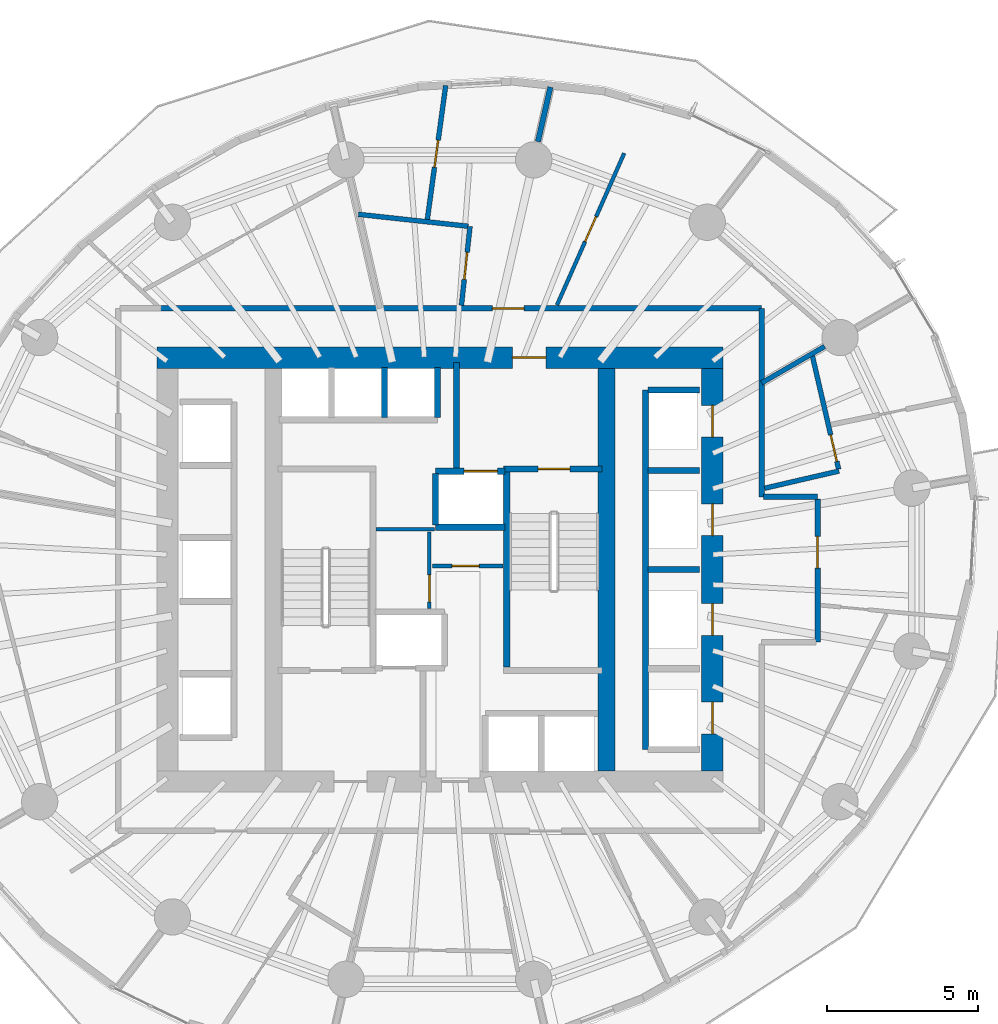
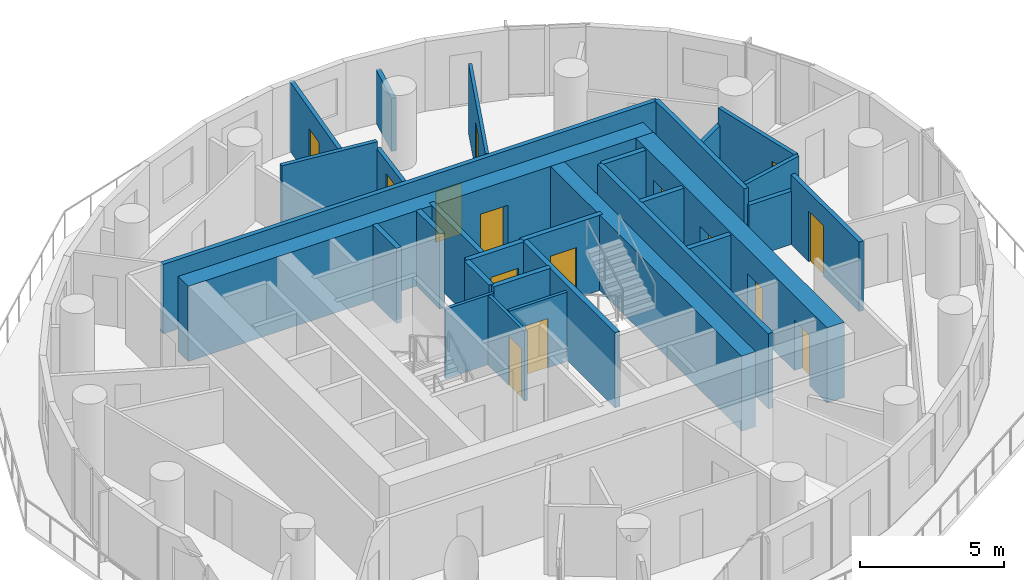
# One storey, part 9 of 15: 30 walls, 15 doors, 15 openings.
"""IFC4 building model written with IfcOpenShell, lengths in metres."""

from ifc_helpers import new_model, si_unit, direction, frame, frame_2d, origin, place, context, subcontext, project, spatial, rectangle, extrude, material, layer, layer_set, type_object, element, fill, save


model = new_model("IFC4")

# Units and contexts
model_context = context("Model", 3, precision=1e-05, world=origin(), true_north=direction((0.0, 1.0)))
body_context = subcontext(model_context, "Body", "Model", "MODEL_VIEW")
ifc_project = project(units=[si_unit("LENGTHUNIT", "METRE"), si_unit("AREAUNIT", "SQUARE_METRE"), si_unit("VOLUMEUNIT", "CUBIC_METRE"), si_unit("PLANEANGLEUNIT", "RADIAN"), si_unit("MASSUNIT", "GRAM", prefix="KILO")], contexts=[model_context])

# Site, building, storey
site_placement = place(None, origin())
site = spatial("IfcSite", under=ifc_project, at=site_placement, CompositionType="ELEMENT")
building_placement = place(site_placement, origin())
building = spatial("IfcBuilding", under=site, at=building_placement, Name="Veldorim Arch Residences", CompositionType="ELEMENT")
storey_placement = place(building_placement, frame((0.0, 0.0, 106.080078125)))
storey = spatial("IfcBuildingStorey", under=building, at=storey_placement, Name="L31", CompositionType="ELEMENT", Elevation=106.080078125)

# Wall, opening, door
ifc_material_1 = material(Name="Acoustic Gypsum Board", Category="gypsum")
ifc_layer_1 = layer(ifc_material_1, 0.125, Name="Acoustic Stud Room Partition Wall 125")
ifc_layer_set_1 = layer_set([ifc_layer_1], Name="Acoustic Gypsum Board")
wall_type_1 = type_object("IfcWallType", Name="Acoustic Stud Room Partition Wall 125", PredefinedType="PARTITIONING", material=ifc_layer_set_1)
wall_1_placement = place(storey_placement, frame((31.64990234375, 22.719970703125, 0.0), z_axis=(0.0, 0.0, 1.0), x_axis=(0.0, 1.0, 0.0)))
wall_1 = element("IfcWall", 1, at=wall_1_placement, inside=storey, type_object=wall_type_1, Name="L31 interior wall WL-CA-L31-1", PredefinedType="PARTITIONING", context=body_context, shape_type="SweptSolid", body=[
    extrude(rectangle(XDim=2.52001953125, YDim=0.125, at=frame_2d((1.260009765625, 0.0))), origin(), (0.0, 0.0, 1.0), 2.954833984375),
])
opening_1_placement = place(wall_1_placement, frame((0.2099609375, 0.0, 0.0)))
opening_1 = element("IfcOpeningElement", 2, at=opening_1_placement, cuts=wall_1, Name="Opening DR-SVC", PredefinedType="OPENING", context=body_context, shape_type="SweptSolid", body=[
    extrude(rectangle(XDim=0.89990234375, YDim=2.10009765625, at=frame_2d((0.449951171875, 1.050048828125))), frame((0.0, 0.072509765625, 0.0), z_axis=(0.0, -1.0, 0.0), x_axis=(1.0, 0.0, 0.0)), (0.0, 0.0, 1.0), 0.14501953125),
])
ifc_material_2 = material(Name="Fire-Rated Steel", Category="steel")
door_type_1 = type_object("IfcDoorType", Name="Riser, Shelter & Plant Room Rated Steel Door 900x2100", OperationType="SINGLE_SWING_LEFT", PredefinedType="DOOR", material=ifc_material_2)
door_1_placement = place(opening_1_placement, origin())
door_1 = element("IfcDoor", 3, at=door_1_placement, inside=storey, type_object=door_type_1, Name="L31 interior door DR-L31-CA1", OperationType="SINGLE_SWING_LEFT", OverallHeight=2.10009765625, OverallWidth=0.89990234375, PredefinedType="DOOR", context=body_context, shape_type="SweptSolid", body=[
    extrude(rectangle(XDim=0.89990234375, YDim=2.10009765625, at=frame_2d((0.449951171875, 1.050048828125))), frame((0.0, 0.02490234375, 0.0), z_axis=(0.0, -1.0, 0.0), x_axis=(1.0, 0.0, 0.0)), (0.0, 0.0, 1.0), 0.050048828125),
])
fill(opening_1, door_1)

wall_2_placement = place(storey_placement, frame((31.760009765625, 24.1201171875, 0.0), z_axis=(0.0, 0.0, 1.0), x_axis=(1.0, 0.0, 0.0)))
wall_2 = element("IfcWall", 4, at=wall_2_placement, inside=storey, type_object=wall_type_1, Name="L31 interior wall WL-CA-L31-2", PredefinedType="PARTITIONING", context=body_context, shape_type="SweptSolid", body=[
    extrude(rectangle(XDim=2.320068359375, YDim=0.125, at=frame_2d((1.16015625, 0.0))), origin(), (0.0, 0.0, 1.0), 2.954833984375),
])
opening_2_placement = place(wall_2_placement, frame((0.639892578125, 0.0, 0.0)))
opening_2 = element("IfcOpeningElement", 5, at=opening_2_placement, cuts=wall_2, Name="Opening DR-SVC", PredefinedType="OPENING", context=body_context, shape_type="SweptSolid", body=[
    extrude(rectangle(XDim=0.89990234375, YDim=2.10009765625, at=frame_2d((0.449951171875, 1.050048828125))), frame((0.0, 0.072509765625, 0.0), z_axis=(0.0, -1.0, 0.0), x_axis=(1.0, 0.0, 0.0)), (0.0, 0.0, 1.0), 0.14501953125),
])
door_2_placement = place(opening_2_placement, origin())
door_2 = element("IfcDoor", 6, at=door_2_placement, inside=storey, type_object=door_type_1, Name="L31 interior door DR-L31-CA2", OperationType="SINGLE_SWING_RIGHT", OverallHeight=2.10009765625, OverallWidth=0.89990234375, PredefinedType="DOOR", context=body_context, shape_type="SweptSolid", body=[
    extrude(rectangle(XDim=0.89990234375, YDim=2.10009765625, at=frame_2d((0.449951171875, 1.050048828125))), frame((0.0, 0.02490234375, 0.0), z_axis=(0.0, -1.0, 0.0), x_axis=(1.0, 0.0, 0.0)), (0.0, 0.0, 1.0), 0.050048828125),
])
fill(opening_2, door_2)

# Wall
wall_3_placement = place(storey_placement, frame((29.889892578125, 25.330078125, 0.0), z_axis=(0.0, 0.0, 1.0), x_axis=(1.0, 0.0, 0.0)))
element("IfcWall", 7, at=wall_3_placement, inside=storey, type_object=wall_type_1, Name="L31 interior wall WL-CA-L31-N", PredefinedType="PARTITIONING", context=body_context, shape_type="SweptSolid", body=[
    extrude(rectangle(XDim=1.940185546875, YDim=0.125, at=frame_2d((0.97021484375, 0.0))), origin(), (0.0, 0.0, 1.0), 2.954833984375),
])

# Wall, opening, door
wall_4_placement = place(storey_placement, frame((38.091064453125, 37.756103515625, 0.0), z_axis=(0.0, 0.0, 1.0), x_axis=(-0.404874602407, -0.914372219791, 0.0)))
wall_4 = element("IfcWall", 8, at=wall_4_placement, inside=storey, type_object=wall_type_1, Name="L31 interior wall WL-RES-L31-023", PredefinedType="PARTITIONING", context=body_context, shape_type="SweptSolid", body=[
    extrude(rectangle(XDim=5.486083984375, YDim=0.125, at=frame_2d((2.7431640625, 0.0))), origin(), (0.0, 0.0, 1.0), 2.954833984375),
])
opening_3_placement = place(wall_4_placement, frame((2.29296875, 0.0, 0.0)))
opening_3 = element("IfcOpeningElement", 9, at=opening_3_placement, cuts=wall_4, Name="Opening DR-INT", PredefinedType="OPENING", context=body_context, shape_type="SweptSolid", body=[
    extrude(rectangle(XDim=0.89990234375, YDim=2.10009765625, at=frame_2d((0.449951171875, 1.050048828125))), frame((0.0, 0.072509765625, 0.0), z_axis=(0.0, -1.0, 0.0), x_axis=(1.0, 0.0, 0.0)), (0.0, 0.0, 1.0), 0.14501953125),
])
ifc_material_3 = material(Name="Engineered Timber", Category="wood")
door_type_2 = type_object("IfcDoorType", Name="Apartment Internal Room Timber Door 900x2100", OperationType="SINGLE_SWING_LEFT", PredefinedType="DOOR", material=ifc_material_3)
door_3_placement = place(opening_3_placement, origin())
door_3 = element("IfcDoor", 10, at=door_3_placement, inside=storey, type_object=door_type_2, Name="L31 interior door DR-RES-L31-012", OperationType="SINGLE_SWING_RIGHT", OverallHeight=2.10009765625, OverallWidth=0.89990234375, PredefinedType="DOOR", context=body_context, shape_type="SweptSolid", body=[
    extrude(rectangle(XDim=0.89990234375, YDim=2.10009765625, at=frame_2d((0.449951171875, 1.050048828125))), frame((0.0, 0.02490234375, 0.0), z_axis=(0.0, -1.0, 0.0), x_axis=(1.0, 0.0, 0.0)), (0.0, 0.0, 1.0), 0.050048828125),
])
fill(opening_3, door_3)

# Walls
ifc_material_4 = material(Name="Lightweight Masonry Block & Gypsum", Category="masonry")
ifc_layer_2 = layer(ifc_material_4, 0.179931640625, Name="Compartment & Corridor Fire-Rated Party Wall 180")
ifc_layer_set_2 = layer_set([ifc_layer_2], Name="Lightweight Masonry Block & Gypsum")
wall_type_2 = type_object("IfcWallType", Name="Compartment & Corridor Fire-Rated Party Wall 180", PredefinedType="PARTITIONING", material=ifc_layer_set_2)
wall_5_placement = place(storey_placement, frame((35.240478515625, 38.13916015625, 0.0), z_axis=(0.0, 0.0, 1.0), x_axis=(0.2234127464, 0.974723932581, 0.0)))
element("IfcWall", 11, at=wall_5_placement, inside=storey, type_object=wall_type_2, Name="L31 interior wall WL-PIER-L31-04", PredefinedType="PARTITIONING", context=body_context, shape_type="SweptSolid", body=[
    extrude(rectangle(XDim=1.848876953125, YDim=0.179931640625, at=frame_2d((0.92431640625, 0.0))), origin(), (0.0, 0.0, 1.0), 2.260498046875),
])
wall_6_placement = place(storey_placement, frame((42.6298828125, 32.6298828125, 0.0), z_axis=(0.0, 0.0, 1.0), x_axis=(0.0, -1.0, 0.0)))
element("IfcWall", 12, at=wall_6_placement, inside=storey, type_object=wall_type_2, Name="L31 interior wall WL-RES-L31-002", PredefinedType="PARTITIONING", context=body_context, shape_type="SweptSolid", body=[
    extrude(rectangle(XDim=6.22998046875, YDim=0.179931640625, at=frame_2d((3.114990234375, 0.0))), origin(), (0.0, 0.0, 1.0), 2.954833984375),
])
wall_7_placement = place(storey_placement, frame((42.68994140625, 26.39990234375, 0.0), z_axis=(0.0, 0.0, 1.0), x_axis=(1.0, 0.0, 0.0)))
element("IfcWall", 13, at=wall_7_placement, inside=storey, type_object=wall_type_2, Name="L31 interior wall WL-RES-L31-003", PredefinedType="PARTITIONING", context=body_context, shape_type="SweptSolid", body=[
    extrude(rectangle(XDim=1.7900390625, YDim=0.179931640625, at=frame_2d((0.89501953125, 0.0))), origin(), (0.0, 0.0, 1.0), 2.260498046875),
])

# Wall, opening, door
wall_8_placement = place(storey_placement, frame((44.47998046875, 26.340087890625, 0.0), z_axis=(0.0, 0.0, 1.0), x_axis=(0.0, -1.0, 0.0)))
wall_8 = element("IfcWall", 14, at=wall_8_placement, inside=storey, type_object=wall_type_2, Name="L31 interior wall WL-RES-L31-004", PredefinedType="PARTITIONING", context=body_context, shape_type="SweptSolid", body=[
    extrude(rectangle(XDim=4.739990234375, YDim=0.179931640625, at=frame_2d((2.3701171875, 0.0))), origin(), (0.0, 0.0, 1.0), 2.954833984375),
])
opening_4_placement = place(wall_8_placement, frame((1.238525390625, 0.0, 0.0)))
opening_4 = element("IfcOpeningElement", 15, at=opening_4_placement, cuts=wall_8, Name="Opening DR-FLT", PredefinedType="OPENING", context=body_context, shape_type="SweptSolid", body=[
    extrude(rectangle(XDim=1.050048828125, YDim=2.14990234375, at=frame_2d((0.52490234375, 1.074951171875))), frame((0.0, 0.099853515625, 0.0), z_axis=(0.0, -1.0, 0.0), x_axis=(1.0, 0.0, 0.0)), (0.0, 0.0, 1.0), 0.199951171875),
])
ifc_material_5 = material(Name="Fire-Rated Timber", Category="wood")
door_type_3 = type_object("IfcDoorType", Name="Apartment Entrance Solid-Core Fire Door 1050x2150", OperationType="SINGLE_SWING_LEFT", PredefinedType="DOOR", material=ifc_material_5)
door_4_placement = place(opening_4_placement, origin())
door_4 = element("IfcDoor", 16, at=door_4_placement, inside=storey, type_object=door_type_3, Name="L31 interior door DR-RES-L31-005", OperationType="SINGLE_SWING_LEFT", OverallHeight=2.14990234375, OverallWidth=1.050048828125, PredefinedType="DOOR", context=body_context, shape_type="SweptSolid", body=[
    extrude(rectangle(XDim=1.050048828125, YDim=2.14990234375, at=frame_2d((0.52490234375, 1.074951171875))), frame((0.0, 0.02490234375, 0.0), z_axis=(0.0, -1.0, 0.0), x_axis=(1.0, 0.0, 0.0)), (0.0, 0.0, 1.0), 0.050048828125),
])
fill(opening_4, door_4)

wall_9_placement = place(storey_placement, frame((22.73388671875, 32.6298828125, 0.0), z_axis=(0.0, 0.0, 1.0), x_axis=(1.0, 0.0, 0.0)))
wall_9 = element("IfcWall", 17, at=wall_9_placement, inside=storey, type_object=wall_type_2, Name="L31 interior wall WL-RES-L31-007", PredefinedType="PARTITIONING", context=body_context, shape_type="SweptSolid", body=[
    extrude(rectangle(XDim=19.89599609375, YDim=0.179931640625, at=frame_2d((9.947998046875, 0.0))), origin(), (0.0, 0.0, 1.0), 2.954833984375),
])
opening_5_placement = place(wall_9_placement, frame((11.004150390625, 0.0, 0.0)))
opening_5 = element("IfcOpeningElement", 18, at=opening_5_placement, cuts=wall_9, Name="Opening DR-FLT", PredefinedType="OPENING", context=body_context, shape_type="SweptSolid", body=[
    extrude(rectangle(XDim=1.050048828125, YDim=2.14990234375, at=frame_2d((0.52490234375, 1.074951171875))), frame((0.0, 0.099853515625, 0.0), z_axis=(0.0, -1.0, 0.0), x_axis=(1.0, 0.0, 0.0)), (0.0, 0.0, 1.0), 0.199951171875),
])
door_5_placement = place(opening_5_placement, origin())
door_5 = element("IfcDoor", 19, at=door_5_placement, inside=storey, type_object=door_type_3, Name="L31 interior door DR-RES-L31-010", OperationType="SINGLE_SWING_RIGHT", OverallHeight=2.14990234375, OverallWidth=1.050048828125, PredefinedType="DOOR", context=body_context, shape_type="SweptSolid", body=[
    extrude(rectangle(XDim=1.050048828125, YDim=2.14990234375, at=frame_2d((0.52490234375, 1.074951171875))), frame((0.0, 0.02490234375, 0.0), z_axis=(0.0, -1.0, 0.0), x_axis=(1.0, 0.0, 0.0)), (0.0, 0.0, 1.0), 0.050048828125),
])
fill(opening_5, door_5)

# Wall
ifc_material_6 = material(Name="Concrete C50/60", Category="concrete")
ifc_layer_3 = layer(ifc_material_6, 0.199951171875, Name="Core Stair & Lift Shaft Enclosure Wall 200")
ifc_layer_set_3 = layer_set([ifc_layer_3], Name="Concrete C50/60")
wall_type_3 = type_object("IfcWallType", Name="Core Stair & Lift Shaft Enclosure Wall 200", PredefinedType="SHEAR", material=ifc_layer_set_3)
wall_10_placement = place(storey_placement, frame((34.2099609375, 20.780029296875, 0.0), z_axis=(0.0, 0.0, 1.0), x_axis=(0.0, 1.0, 0.0)))
element("IfcWall", 20, at=wall_10_placement, inside=storey, type_object=wall_type_3, Name="L31 shaft wall WL-SHF-L31-ST2-W", PredefinedType="SHEAR", context=body_context, shape_type="SweptSolid", body=[
    extrude(rectangle(XDim=6.43994140625, YDim=0.199951171875, at=frame_2d((3.219970703125, 0.0))), origin(), (0.0, 0.0, 1.0), 3.199951171875),
])

# Wall, opening, door
wall_11_placement = place(storey_placement, frame((34.110107421875, 27.330078125, 0.0), z_axis=(0.0, 0.0, 1.0), x_axis=(1.0, 0.0, 0.0)))
wall_11 = element("IfcWall", 21, at=wall_11_placement, inside=storey, type_object=wall_type_3, Name="L31 shaft wall WL-SHF-L31-ST2-N", PredefinedType="SHEAR", context=body_context, shape_type="SweptSolid", body=[
    extrude(rectangle(XDim=3.239990234375, YDim=0.199951171875, at=frame_2d((1.6201171875, 0.0))), origin(), (0.0, 0.0, 1.0), 3.199951171875),
])
opening_6_placement = place(wall_11_placement, frame((1.135009765625, 0.0, 0.0)))
opening_6 = element("IfcOpeningElement", 22, at=opening_6_placement, cuts=wall_11, Name="Opening DR-ST", PredefinedType="OPENING", context=body_context, shape_type="SweptSolid", body=[
    extrude(rectangle(XDim=1.050048828125, YDim=2.14990234375, at=frame_2d((0.52490234375, 1.074951171875))), frame((0.0, 0.10986328125, 0.0), z_axis=(0.0, -1.0, 0.0), x_axis=(1.0, 0.0, 0.0)), (0.0, 0.0, 1.0), 0.219970703125),
])
ifc_material_7 = material(Name="Fire-Rated Steel", Category="steel")
door_type_4 = type_object("IfcDoorType", Name="Exit Staircase Self-Closing Fire Door 1050x2150", OperationType="SINGLE_SWING_LEFT", PredefinedType="DOOR", material=ifc_material_7)
door_6_placement = place(opening_6_placement, origin())
door_6 = element("IfcDoor", 23, at=door_6_placement, inside=storey, type_object=door_type_4, Name="L31 interior door DR-L31-ST2", OperationType="SINGLE_SWING_RIGHT", OverallHeight=2.14990234375, OverallWidth=1.050048828125, PredefinedType="DOOR", context=body_context, shape_type="SweptSolid", body=[
    extrude(rectangle(XDim=1.050048828125, YDim=2.14990234375, at=frame_2d((0.52490234375, 1.074951171875))), frame((0.0, 0.02490234375, 0.0), z_axis=(0.0, -1.0, 0.0), x_axis=(1.0, 0.0, 0.0)), (0.0, 0.0, 1.0), 0.050048828125),
])
fill(opening_6, door_6)

# Wall
wall_12_placement = place(storey_placement, frame((32.550048828125, 27.35009765625, 0.0), z_axis=(0.0, 0.0, 1.0), x_axis=(0.0, 1.0, 0.0)))
element("IfcWall", 24, at=wall_12_placement, inside=storey, type_object=wall_type_3, Name="L31 shaft wall WL-FFL2-L31-W", PredefinedType="SHEAR", context=body_context, shape_type="SweptSolid", body=[
    extrude(rectangle(XDim=3.5, YDim=0.199951171875, at=frame_2d((1.75, 0.0))), origin(), (0.0, 0.0, 1.0), 3.199951171875),
])

# Wall, opening, door
wall_13_placement = place(storey_placement, frame((31.85009765625, 27.25, 0.0), z_axis=(0.0, 0.0, 1.0), x_axis=(1.0, 0.0, 0.0)))
wall_13 = element("IfcWall", 25, at=wall_13_placement, inside=storey, type_object=wall_type_3, Name="L31 shaft wall WL-FL02-L31-N", PredefinedType="SHEAR", context=body_context, shape_type="SweptSolid", body=[
    extrude(rectangle(XDim=2.2998046875, YDim=0.199951171875, at=frame_2d((1.14990234375, 0.0))), origin(), (0.0, 0.0, 1.0), 3.199951171875),
])
opening_7_placement = place(wall_13_placement, frame((0.949951171875, 0.0, 0.0)))
opening_7 = element("IfcOpeningElement", 26, at=opening_7_placement, cuts=wall_13, Name="Opening LD-FF", PredefinedType="OPENING", context=body_context, shape_type="SweptSolid", body=[
    extrude(rectangle(XDim=1.10009765625, YDim=2.14990234375, at=frame_2d((0.550048828125, 1.074951171875))), frame((0.0, 0.10986328125, 0.0), z_axis=(0.0, -1.0, 0.0), x_axis=(1.0, 0.0, 0.0)), (0.0, 0.0, 1.0), 0.219970703125),
])
ifc_material_8 = material(Name="Stainless Steel", Category="steel")
door_type_5 = type_object("IfcDoorType", Name="Firefighting Lift Bi-Parting Sliding Landing Door 1100x2150", OperationType="DOUBLE_DOOR_SLIDING", PredefinedType="DOOR", material=ifc_material_8)
door_7_placement = place(opening_7_placement, origin())
door_7 = element("IfcDoor", 27, at=door_7_placement, inside=storey, type_object=door_type_5, Name="L31 lift landing door LD-L31-FL02", OperationType="DOUBLE_DOOR_SLIDING", OverallHeight=2.14990234375, OverallWidth=1.10009765625, PredefinedType="DOOR", context=body_context, shape_type="SweptSolid", body=[
    extrude(rectangle(XDim=1.10009765625, YDim=2.14990234375, at=frame_2d((0.550048828125, 1.074951171875))), frame((0.0, 0.02490234375, 0.0), z_axis=(0.0, -1.0, 0.0), x_axis=(1.0, 0.0, 0.0)), (0.0, 0.0, 1.0), 0.050048828125),
])
fill(opening_7, door_7)

# Walls
wall_14_placement = place(storey_placement, frame((31.85009765625, 25.39990234375, 0.0), z_axis=(0.0, 0.0, 1.0), x_axis=(1.0, 0.0, 0.0)))
element("IfcWall", 28, at=wall_14_placement, inside=storey, type_object=wall_type_3, Name="L31 shaft wall WL-FL02-L31-S", PredefinedType="SHEAR", context=body_context, shape_type="SweptSolid", body=[
    extrude(rectangle(XDim=2.2998046875, YDim=0.199951171875, at=frame_2d((1.14990234375, 0.0))), origin(), (0.0, 0.0, 1.0), 3.199951171875),
])
wall_15_placement = place(storey_placement, frame((31.85009765625, 25.469970703125, 0.0), z_axis=(0.0, 0.0, 1.0), x_axis=(0.0, 1.0, 0.0)))
element("IfcWall", 29, at=wall_15_placement, inside=storey, type_object=wall_type_3, Name="L31 shaft wall WL-FL02-L31-W", PredefinedType="SHEAR", context=body_context, shape_type="SweptSolid", body=[
    extrude(rectangle(XDim=1.7099609375, YDim=0.199951171875, at=frame_2d((0.85498046875, 0.0))), origin(), (0.0, 0.0, 1.0), 3.199951171875),
])
wall_16_placement = place(storey_placement, frame((38.800048828125, 18.06005859375, 0.0), z_axis=(0.0, 0.0, 1.0), x_axis=(0.0, 1.0, 0.0)))
element("IfcWall", 30, at=wall_16_placement, inside=storey, type_object=wall_type_3, Name="L31 shaft wall WL-B1-L31-W", PredefinedType="SHEAR", context=body_context, shape_type="SweptSolid", body=[
    extrude(rectangle(XDim=11.8798828125, YDim=0.199951171875, at=frame_2d((5.93994140625, 0.0))), origin(), (0.0, 0.0, 1.0), 3.199951171875),
])
for number, where, z_axis, x_axis, name in (
    (31, (38.8701171875, 29.93994140625, 0.0), (0.0, 0.0, 1.0), (1.0, 0.0, 0.0), "L31 shaft wall WL-B1-L31-N"),
    (32, (38.8701171875, 24.0, 0.0), (0.0, 0.0, 1.0), (1.0, 0.0, 0.0), "L31 shaft wall WL-B1-L31-D2"),
    (33, (38.8701171875, 27.27490234375, 0.0), (0.0, 0.0, 1.0), (1.0, 0.0, 0.0), "L31 shaft wall WL-B1-L31-D3"),
):
    element("IfcWall", number, at=place(storey_placement, frame(where, z_axis=z_axis, x_axis=x_axis)), inside=storey, type_object=wall_type_3, Name=name, PredefinedType="SHEAR", context=body_context, shape_type="SweptSolid", body=[
        extrude(rectangle(XDim=1.7099609375, YDim=0.199951171875, at=frame_2d((0.85498046875, 0.0))), origin(), (0.0, 0.0, 1.0), 3.199951171875),
    ])
for number, where, z_axis, x_axis, name in (
    (34, (31.919921875, 29.02001953125, 0.0), (0.0, 0.0, 1.0), (0.0, 1.0, 0.0), "L31 shaft wall WL-B3-L31-E"),
    (35, (30.175048828125, 29.02001953125, 0.0), (0.0, 0.0, 1.0), (0.0, 1.0, 0.0), "L31 shaft wall WL-B3-L31-D2"),
):
    element("IfcWall", number, at=place(storey_placement, frame(where, z_axis=z_axis, x_axis=x_axis)), inside=storey, type_object=wall_type_3, Name=name, PredefinedType="SHEAR", context=body_context, shape_type="SweptSolid", body=[
        extrude(rectangle(XDim=1.659912109375, YDim=0.199951171875, at=frame_2d((0.830078125, 0.0))), origin(), (0.0, 0.0, 1.0), 3.199951171875),
    ])
ifc_material_9 = material(Name="Concrete C60/75", Category="concrete")
ifc_layer_4 = layer(ifc_material_9, 0.56005859375, Name="Internal Core Shear Web Wall 560")
ifc_layer_set_4 = layer_set([ifc_layer_4], Name="Concrete C60/75")
wall_type_4 = type_object("IfcWallType", Name="Internal Core Shear Web Wall 560", PredefinedType="SHEAR", material=ifc_layer_set_4)
wall_17_placement = place(storey_placement, frame((37.5, 17.35009765625, 0.0), z_axis=(0.0, 0.0, 1.0), x_axis=(0.0, 1.0, 0.0)))
element("IfcWall", 36, at=wall_17_placement, inside=storey, type_object=wall_type_4, Name="L31 core east internal shear web", PredefinedType="SHEAR", context=body_context, shape_type="SweptSolid", body=[
    extrude(rectangle(XDim=13.2998046875, YDim=0.56005859375, at=frame_2d((6.64990234375, 0.0))), origin(), (0.0, 0.0, 1.0), 3.199951171875),
])

# Wall, opening, door
ifc_material_10 = material(Name="Concrete C60/75", Category="concrete")
ifc_layer_5 = layer(ifc_material_10, 0.699951171875, Name="Mid-Lower Central Core Shear Wall 700")
ifc_layer_set_5 = layer_set([ifc_layer_5], Name="Concrete C60/75")
wall_type_5 = type_object("IfcWallType", Name="Mid-Lower Central Core Shear Wall 700", PredefinedType="SHEAR", material=ifc_layer_set_5)
wall_18_placement = place(storey_placement, frame((22.64990234375, 31.0, 0.0), z_axis=(0.0, 0.0, 1.0), x_axis=(1.0, 0.0, 0.0)))
wall_18 = element("IfcWall", 37, at=wall_18_placement, inside=storey, type_object=wall_type_5, Name="L31 central core north shear wall", PredefinedType="SHEAR", context=body_context, shape_type="SweptSolid", body=[
    extrude(rectangle(XDim=18.7001953125, YDim=0.699951171875, at=frame_2d((9.35009765625, 0.0))), origin(), (0.0, 0.0, 1.0), 3.199951171875),
])
opening_8_placement = place(wall_18_placement, frame((11.75, 0.0, 0.0)))
opening_8 = element("IfcOpeningElement", 38, at=opening_8_placement, cuts=wall_18, Name="Opening DR-FFL", PredefinedType="OPENING", context=body_context, shape_type="SweptSolid", body=[
    extrude(rectangle(XDim=1.10009765625, YDim=2.14990234375, at=frame_2d((0.550048828125, 1.074951171875))), frame((0.0, 0.35986328125, 0.0), z_axis=(0.0, -1.0, 0.0), x_axis=(1.0, 0.0, 0.0)), (0.0, 0.0, 1.0), 0.719970703125),
])
ifc_material_11 = material(Name="Fire-Rated Steel & Vision Glass", Category="steel")
door_type_6 = type_object("IfcDoorType", Name="Firefighting Lobby Smoke-Stop Fire Door 1100x2150", OperationType="SINGLE_SWING_LEFT", PredefinedType="DOOR", material=ifc_material_11)
door_8_placement = place(opening_8_placement, origin())
door_8 = element("IfcDoor", 39, at=door_8_placement, inside=storey, type_object=door_type_6, Name="L31 interior door DR-L31-FFL2", OperationType="SINGLE_SWING_LEFT", OverallHeight=2.14990234375, OverallWidth=1.10009765625, PredefinedType="DOOR", context=body_context, shape_type="SweptSolid", body=[
    extrude(rectangle(XDim=1.10009765625, YDim=2.14990234375, at=frame_2d((0.550048828125, 1.074951171875))), frame((0.0, 0.02490234375, 0.0), z_axis=(0.0, -1.0, 0.0), x_axis=(1.0, 0.0, 0.0)), (0.0, 0.0, 1.0), 0.050048828125),
])
fill(opening_8, door_8)

# Wall, openings, doors
wall_19_placement = place(storey_placement, frame((41.0, 17.35009765625, 0.0), z_axis=(0.0, 0.0, 1.0), x_axis=(0.0, 1.0, 0.0)))
wall_19 = element("IfcWall", 40, at=wall_19_placement, inside=storey, type_object=wall_type_5, Name="L31 central core east shear wall", PredefinedType="SHEAR", context=body_context, shape_type="SweptSolid", body=[
    extrude(rectangle(XDim=13.2998046875, YDim=0.699951171875, at=frame_2d((6.64990234375, 0.0))), origin(), (0.0, 0.0, 1.0), 3.199951171875),
])
opening_9_placement = place(wall_19_placement, frame((1.22509765625, 0.0, 0.0)))
opening_9 = element("IfcOpeningElement", 41, at=opening_9_placement, cuts=wall_19, Name="Opening LD-PS", PredefinedType="OPENING", context=body_context, shape_type="SweptSolid", body=[
    extrude(rectangle(XDim=1.050048828125, YDim=2.14990234375, at=frame_2d((0.52490234375, 1.074951171875))), frame((0.0, 0.35986328125, 0.0), z_axis=(0.0, -1.0, 0.0), x_axis=(1.0, 0.0, 0.0)), (0.0, 0.0, 1.0), 0.719970703125),
])
opening_10_placement = place(wall_19_placement, frame((4.47509765625, 0.0, 0.0)))
opening_10 = element("IfcOpeningElement", 42, at=opening_10_placement, cuts=wall_19, Name="Opening LD-PS", PredefinedType="OPENING", context=body_context, shape_type="SweptSolid", body=[
    extrude(rectangle(XDim=1.050048828125, YDim=2.14990234375, at=frame_2d((0.52490234375, 1.074951171875))), frame((0.0, 0.35986328125, 0.0), z_axis=(0.0, -1.0, 0.0), x_axis=(1.0, 0.0, 0.0)), (0.0, 0.0, 1.0), 0.719970703125),
])
opening_11_placement = place(wall_19_placement, frame((7.77490234375, 0.0, 0.0)))
opening_11 = element("IfcOpeningElement", 43, at=opening_11_placement, cuts=wall_19, Name="Opening LD-PS", PredefinedType="OPENING", context=body_context, shape_type="SweptSolid", body=[
    extrude(rectangle(XDim=1.050048828125, YDim=2.14990234375, at=frame_2d((0.52490234375, 1.074951171875))), frame((0.0, 0.35986328125, 0.0), z_axis=(0.0, -1.0, 0.0), x_axis=(1.0, 0.0, 0.0)), (0.0, 0.0, 1.0), 0.719970703125),
])
opening_12_placement = place(wall_19_placement, frame((11.02490234375, 0.0, 0.0)))
opening_12 = element("IfcOpeningElement", 44, at=opening_12_placement, cuts=wall_19, Name="Opening LD-PS", PredefinedType="OPENING", context=body_context, shape_type="SweptSolid", body=[
    extrude(rectangle(XDim=1.050048828125, YDim=2.14990234375, at=frame_2d((0.52490234375, 1.074951171875))), frame((0.0, 0.35986328125, 0.0), z_axis=(0.0, -1.0, 0.0), x_axis=(1.0, 0.0, 0.0)), (0.0, 0.0, 1.0), 0.719970703125),
])
ifc_material_12 = material(Name="Stainless Steel", Category="steel")
door_type_7 = type_object("IfcDoorType", Name="Passenger Lift Bi-Parting Sliding Landing Door 1050x2150", OperationType="DOUBLE_DOOR_SLIDING", PredefinedType="DOOR", material=ifc_material_12)
door_9_placement = place(opening_9_placement, origin())
door_9 = element("IfcDoor", 45, at=door_9_placement, inside=storey, type_object=door_type_7, Name="L31 lift landing door LD-L31-PL-01", OperationType="DOUBLE_DOOR_SLIDING", OverallHeight=2.14990234375, OverallWidth=1.050048828125, PredefinedType="DOOR", context=body_context, shape_type="SweptSolid", body=[
    extrude(rectangle(XDim=1.050048828125, YDim=2.14990234375, at=frame_2d((0.52490234375, 1.074951171875))), frame((0.0, 0.02490234375, 0.0), z_axis=(0.0, -1.0, 0.0), x_axis=(1.0, 0.0, 0.0)), (0.0, 0.0, 1.0), 0.050048828125),
])
fill(opening_9, door_9)
door_10_placement = place(opening_10_placement, origin())
door_10 = element("IfcDoor", 46, at=door_10_placement, inside=storey, type_object=door_type_7, Name="L31 lift landing door LD-L31-PL-02", OperationType="DOUBLE_DOOR_SLIDING", OverallHeight=2.14990234375, OverallWidth=1.050048828125, PredefinedType="DOOR", context=body_context, shape_type="SweptSolid", body=[
    extrude(rectangle(XDim=1.050048828125, YDim=2.14990234375, at=frame_2d((0.52490234375, 1.074951171875))), frame((0.0, 0.02490234375, 0.0), z_axis=(0.0, -1.0, 0.0), x_axis=(1.0, 0.0, 0.0)), (0.0, 0.0, 1.0), 0.050048828125),
])
fill(opening_10, door_10)
door_11_placement = place(opening_11_placement, origin())
door_11 = element("IfcDoor", 47, at=door_11_placement, inside=storey, type_object=door_type_7, Name="L31 lift landing door LD-L31-PL-03", OperationType="DOUBLE_DOOR_SLIDING", OverallHeight=2.14990234375, OverallWidth=1.050048828125, PredefinedType="DOOR", context=body_context, shape_type="SweptSolid", body=[
    extrude(rectangle(XDim=1.050048828125, YDim=2.14990234375, at=frame_2d((0.52490234375, 1.074951171875))), frame((0.0, 0.02490234375, 0.0), z_axis=(0.0, -1.0, 0.0), x_axis=(1.0, 0.0, 0.0)), (0.0, 0.0, 1.0), 0.050048828125),
])
fill(opening_11, door_11)
door_12_placement = place(opening_12_placement, origin())
door_12 = element("IfcDoor", 48, at=door_12_placement, inside=storey, type_object=door_type_7, Name="L31 lift landing door LD-L31-PL-04", OperationType="DOUBLE_DOOR_SLIDING", OverallHeight=2.14990234375, OverallWidth=1.050048828125, PredefinedType="DOOR", context=body_context, shape_type="SweptSolid", body=[
    extrude(rectangle(XDim=1.050048828125, YDim=2.14990234375, at=frame_2d((0.52490234375, 1.074951171875))), frame((0.0, 0.02490234375, 0.0), z_axis=(0.0, -1.0, 0.0), x_axis=(1.0, 0.0, 0.0)), (0.0, 0.0, 1.0), 0.050048828125),
])
fill(opening_12, door_12)

# Wall
ifc_material_13 = material(Name="Moisture-Resistant Gypsum & Stud", Category="gypsum")
ifc_layer_6 = layer(ifc_material_13, 0.159912109375, Name="Wet-Area Moisture-Resistant Plumbing Wall 160")
ifc_layer_set_6 = layer_set([ifc_layer_6], Name="Moisture-Resistant Gypsum & Stud")
wall_type_6 = type_object("IfcWallType", Name="Wet-Area Moisture-Resistant Plumbing Wall 160", PredefinedType="PLUMBINGWALL", material=ifc_layer_set_6)
wall_20_placement = place(storey_placement, frame((42.727294921875, 26.6875, 0.0), z_axis=(0.0, 0.0, 1.0), x_axis=(0.974262333638, 0.225417180479, 0.0)))
element("IfcWall", 49, at=wall_20_placement, inside=storey, type_object=wall_type_6, Name="L31 interior wall WL-RES-L31-018", PredefinedType="PLUMBINGWALL", context=body_context, shape_type="SweptSolid", body=[
    extrude(rectangle(XDim=2.525634765625, YDim=0.159912109375, at=frame_2d((1.2626953125, 0.0))), origin(), (0.0, 0.0, 1.0), 2.954833984375),
])

# Wall, opening, door
wall_21_placement = place(storey_placement, frame((45.17431640625, 27.3154296875, 0.0), z_axis=(0.0, 0.0, 1.0), x_axis=(-0.225561032487, 0.974229039099, 0.0)))
wall_21 = element("IfcWall", 50, at=wall_21_placement, inside=storey, type_object=wall_type_6, Name="L31 interior wall WL-RES-L31-019", PredefinedType="PLUMBINGWALL", context=body_context, shape_type="SweptSolid", body=[
    extrude(rectangle(XDim=3.913818359375, YDim=0.159912109375, at=frame_2d((1.95703125, 0.0))), origin(), (0.0, 0.0, 1.0), 2.954833984375),
])
opening_13_placement = place(wall_21_placement, frame((0.266357421875, 0.0, 0.0)))
opening_13 = element("IfcOpeningElement", 51, at=opening_13_placement, cuts=wall_21, Name="Opening DR-INT", PredefinedType="OPENING", context=body_context, shape_type="SweptSolid", body=[
    extrude(rectangle(XDim=0.89990234375, YDim=2.10009765625, at=frame_2d((0.449951171875, 1.050048828125))), frame((0.0, 0.08984375, 0.0), z_axis=(0.0, -1.0, 0.0), x_axis=(1.0, 0.0, 0.0)), (0.0, 0.0, 1.0), 0.179931640625),
])
door_13_placement = place(opening_13_placement, origin())
door_13 = element("IfcDoor", 52, at=door_13_placement, inside=storey, type_object=door_type_2, Name="L31 interior door DR-RES-L31-009", OperationType="SINGLE_SWING_LEFT", OverallHeight=2.10009765625, OverallWidth=0.89990234375, PredefinedType="DOOR", context=body_context, shape_type="SweptSolid", body=[
    extrude(rectangle(XDim=0.89990234375, YDim=2.10009765625, at=frame_2d((0.449951171875, 1.050048828125))), frame((0.0, 0.02490234375, 0.0), z_axis=(0.0, -1.0, 0.0), x_axis=(1.0, 0.0, 0.0)), (0.0, 0.0, 1.0), 0.050048828125),
])
fill(opening_13, door_13)

# Wall
wall_22_placement = place(storey_placement, frame((42.6298828125, 30.164794921875, 0.0), z_axis=(0.0, 0.0, 1.0), x_axis=(0.865092804374, 0.501611841786, 0.0)))
element("IfcWall", 53, at=wall_22_placement, inside=storey, type_object=wall_type_6, Name="L31 interior wall WL-RES-L31-020", PredefinedType="PLUMBINGWALL", context=body_context, shape_type="SweptSolid", body=[
    extrude(rectangle(XDim=2.4072265625, YDim=0.159912109375, at=frame_2d((1.20361328125, 0.0))), origin(), (0.0, 0.0, 1.0), 2.260498046875),
])

# Wall, opening, door
wall_23_placement = place(storey_placement, frame((31.57568359375, 35.490478515625, 0.0), z_axis=(0.0, 0.0, 1.0), x_axis=(0.136019307251, 0.990706186543, 0.0)))
wall_23 = element("IfcWall", 54, at=wall_23_placement, inside=storey, type_object=wall_type_6, Name="L31 interior wall WL-RES-L31-022", PredefinedType="PLUMBINGWALL", context=body_context, shape_type="SweptSolid", body=[
    extrude(rectangle(XDim=4.544677734375, YDim=0.159912109375, at=frame_2d((2.2724609375, 0.0))), origin(), (0.0, 0.0, 1.0), 2.954833984375),
])
opening_14_placement = place(wall_23_placement, frame((1.822265625, 0.0, 0.0)))
opening_14 = element("IfcOpeningElement", 55, at=opening_14_placement, cuts=wall_23, Name="Opening DR-WC", PredefinedType="OPENING", context=body_context, shape_type="SweptSolid", body=[
    extrude(rectangle(XDim=0.89990234375, YDim=2.10009765625, at=frame_2d((0.449951171875, 1.050048828125))), frame((0.0, 0.08984375, 0.0), z_axis=(0.0, -1.0, 0.0), x_axis=(1.0, 0.0, 0.0)), (0.0, 0.0, 1.0), 0.179931640625),
])
ifc_material_14 = material(Name="Laminate Timber", Category="wood")
door_type_8 = type_object("IfcDoorType", Name="Bathroom & Accessible WC Moisture-Sealed Door 900x2100", OperationType="SINGLE_SWING_LEFT", PredefinedType="DOOR", material=ifc_material_14)
door_14_placement = place(opening_14_placement, origin())
door_14 = element("IfcDoor", 56, at=door_14_placement, inside=storey, type_object=door_type_8, Name="L31 interior door DR-RES-L31-011", OperationType="SINGLE_SWING_LEFT", OverallHeight=2.10009765625, OverallWidth=0.89990234375, PredefinedType="DOOR", context=body_context, shape_type="SweptSolid", body=[
    extrude(rectangle(XDim=0.89990234375, YDim=2.10009765625, at=frame_2d((0.449951171875, 1.050048828125))), frame((0.0, 0.02490234375, 0.0), z_axis=(0.0, -1.0, 0.0), x_axis=(1.0, 0.0, 0.0)), (0.0, 0.0, 1.0), 0.050048828125),
])
fill(opening_14, door_14)

wall_24_placement = place(storey_placement, frame((32.71337890625, 32.7294921875, 0.0), z_axis=(0.0, 0.0, 1.0), x_axis=(0.108009167528, 0.994149898018, 0.0)))
wall_24 = element("IfcWall", 57, at=wall_24_placement, inside=storey, type_object=wall_type_6, Name="L31 interior wall WL-RES-L31-024", PredefinedType="PLUMBINGWALL", context=body_context, shape_type="SweptSolid", body=[
    extrude(rectangle(XDim=2.6220703125, YDim=0.159912109375, at=frame_2d((1.31103515625, 0.0))), origin(), (0.0, 0.0, 1.0), 2.641357421875),
])
opening_15_placement = place(wall_24_placement, frame((0.861083984375, 0.0, 0.0)))
opening_15 = element("IfcOpeningElement", 58, at=opening_15_placement, cuts=wall_24, Name="Opening DR-INT", PredefinedType="OPENING", context=body_context, shape_type="SweptSolid", body=[
    extrude(rectangle(XDim=0.89990234375, YDim=2.10009765625, at=frame_2d((0.449951171875, 1.050048828125))), frame((0.0, 0.08984375, 0.0), z_axis=(0.0, -1.0, 0.0), x_axis=(1.0, 0.0, 0.0)), (0.0, 0.0, 1.0), 0.179931640625),
])
door_15_placement = place(opening_15_placement, origin())
door_15 = element("IfcDoor", 59, at=door_15_placement, inside=storey, type_object=door_type_2, Name="L31 interior door DR-RES-L31-014", OperationType="SINGLE_SWING_RIGHT", OverallHeight=2.10009765625, OverallWidth=0.89990234375, PredefinedType="DOOR", context=body_context, shape_type="SweptSolid", body=[
    extrude(rectangle(XDim=0.89990234375, YDim=2.10009765625, at=frame_2d((0.449951171875, 1.050048828125))), frame((0.0, 0.02490234375, 0.0), z_axis=(0.0, -1.0, 0.0), x_axis=(1.0, 0.0, 0.0)), (0.0, 0.0, 1.0), 0.050048828125),
])
fill(opening_15, door_15)

# Wall
wall_25_placement = place(storey_placement, frame((32.93701171875, 35.3427734375, 0.0), z_axis=(0.0, 0.0, 1.0), x_axis=(-0.994156491352, 0.107948463181, 0.0)))
element("IfcWall", 60, at=wall_25_placement, inside=storey, type_object=wall_type_6, Name="L31 interior wall WL-RES-L31-025", PredefinedType="PLUMBINGWALL", context=body_context, shape_type="SweptSolid", body=[
    extrude(rectangle(XDim=3.64794921875, YDim=0.159912109375, at=frame_2d((1.823974609375, 0.0))), origin(), (0.0, 0.0, 1.0), 2.954833984375),
])

save(model, "model.ifc")
